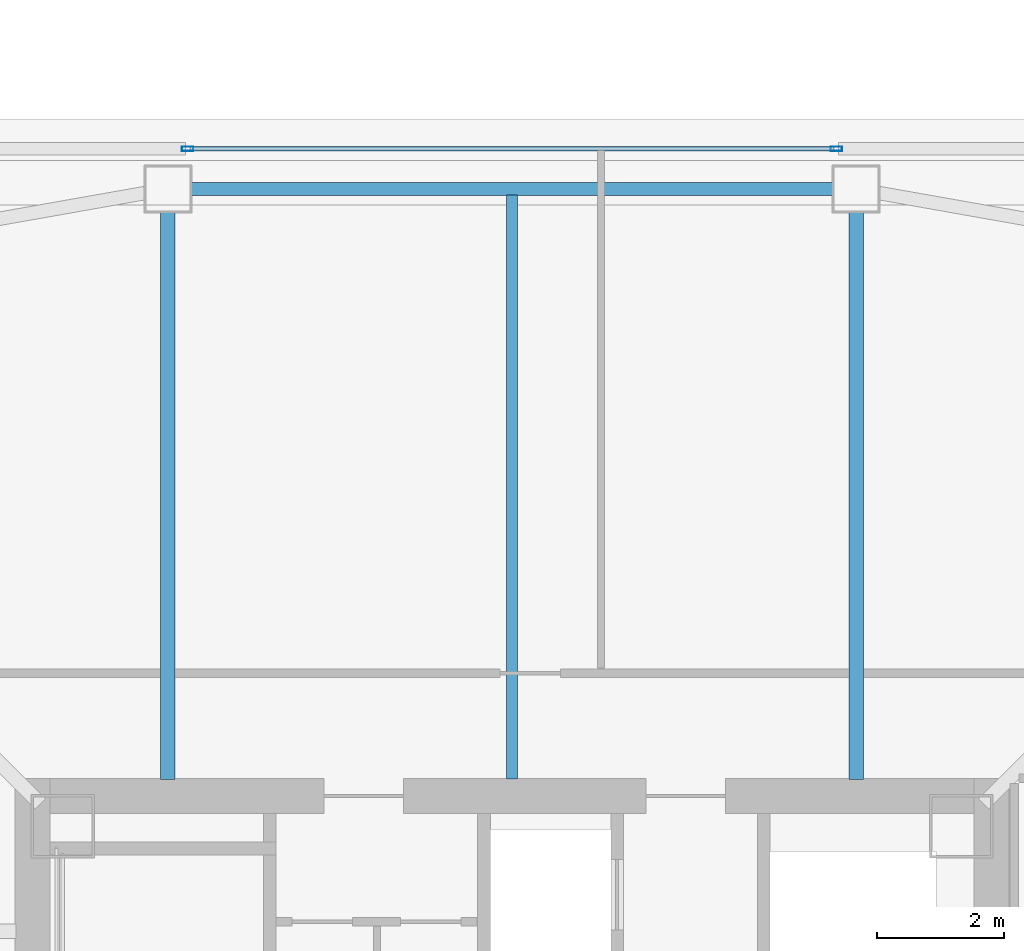
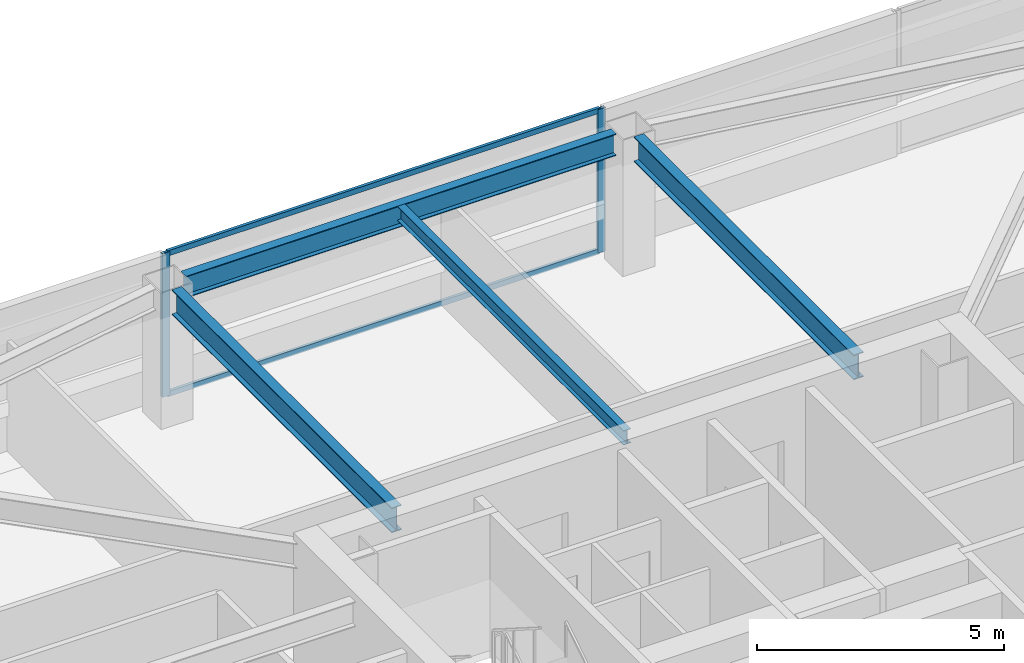
# One storey, part 12 of 41: 4 beams, 4 members, 1 element without a shape of its own.
"""IFC4 building model written with IfcOpenShell, lengths in metres."""

from ifc_helpers import new_model, si_unit, direction, frame, origin, origin_2d, place, context, subcontext, project, spatial, hollow_rectangle, i_section, extrude, material, material_profile, profile_set, type_object, element, aggregate, save


model = new_model("IFC4")

# Units and contexts
model_context = context("Model", 3, precision=1e-05, world=origin(), true_north=direction((0.0, 1.0)))
body_context = subcontext(model_context, "Body", "Model", "MODEL_VIEW")
ifc_project = project(units=[si_unit("LENGTHUNIT", "METRE"), si_unit("AREAUNIT", "SQUARE_METRE"), si_unit("VOLUMEUNIT", "CUBIC_METRE"), si_unit("PLANEANGLEUNIT", "RADIAN"), si_unit("MASSUNIT", "GRAM", prefix="KILO")], contexts=[model_context])

# Site, building, storey
site_placement = place(None, origin())
site = spatial("IfcSite", under=ifc_project, at=site_placement, CompositionType="ELEMENT")
building_placement = place(site_placement, origin())
building = spatial("IfcBuilding", under=site, at=building_placement, Name="Tashvorn Skyway Center", CompositionType="ELEMENT")
storey_placement = place(building_placement, frame((0.0, 0.0, 174.75)))
storey = spatial("IfcBuildingStorey", under=building, at=storey_placement, Name="L47", CompositionType="ELEMENT", Elevation=174.75)

# Beams
ifc_material_1 = material(Name="Steel ASTM A992 Grade 50", Category="steel")
ifc_material_profile_1 = material_profile(ifc_material_1, i_section(OverallWidth=0.22998046875, OverallDepth=0.616943359375, WebThickness=0.01318359375, FlangeThickness=0.022216796875, at=origin_2d()), Name="W24X94")
ifc_profile_set_1 = profile_set([ifc_material_profile_1], Name="Steel ASTM A992 Grade 50")
beam_type_1 = type_object("IfcBeamType", Name="BM-BEAM-W24X94", PredefinedType="BEAM", material=ifc_profile_set_1)
for number, where, z_axis, x_axis, name in (
    (1, (47.39990234375, 48.679931640625, 3.0615234375), (0.0, -1.0, 0.0), (1.0, 0.0, 0.0), "Tower 1 L47 Primary Floor Girder FC-N1"),
    (2, (36.60009765625, 48.679931640625, 3.0615234375), (0.0, -1.0, 0.0), (1.0, 0.0, 0.0), "Tower 1 L47 Primary Floor Girder FC-N2"),
):
    element("IfcBeam", number, at=place(storey_placement, frame(where, z_axis=z_axis, x_axis=x_axis)), inside=storey, type_object=beam_type_1, Name=name, PredefinedType="BEAM", context=body_context, shape_type="SweptSolid", body=[
        extrude(i_section(OverallWidth=0.22998046875, OverallDepth=0.616943359375, WebThickness=0.01318359375, FlangeThickness=0.022216796875, at=origin_2d()), origin(), (0.0, 0.0, 1.0), 8.89990234375),
    ])
ifc_material_profile_2 = material_profile(ifc_material_1, i_section(OverallWidth=0.1708984375, OverallDepth=0.35498046875, WebThickness=0.007080078125, FlangeThickness=0.01171875, at=origin_2d()), Name="W14X34")
ifc_profile_set_2 = profile_set([ifc_material_profile_2], Name="Steel ASTM A992 Grade 50")
beam_type_2 = type_object("IfcBeamType", Name="BM-JOIST-W14X34", PredefinedType="JOIST", material=ifc_profile_set_2)
beam_1_placement = place(storey_placement, frame((42.0, 39.7900390625, 3.1923828125), z_axis=(0.0, 1.0, 0.0), x_axis=(-1.0, 0.0, 0.0)))
element("IfcBeam", 3, at=beam_1_placement, inside=storey, type_object=beam_type_2, Name="Tower 1 L47 Secondary Composite Joist JN", PredefinedType="JOIST", context=body_context, shape_type="SweptSolid", body=[
    extrude(i_section(OverallWidth=0.1708984375, OverallDepth=0.35498046875, WebThickness=0.007080078125, FlangeThickness=0.01171875, at=origin_2d()), origin(), (0.0, 0.0, 1.0), 9.162353515625),
])
ifc_material_profile_3 = material_profile(ifc_material_1, i_section(OverallWidth=0.2109375, OverallDepth=0.5390625, WebThickness=0.01171875, FlangeThickness=0.018798828125, at=origin_2d()), Name="W21X73")
ifc_profile_set_3 = profile_set([ifc_material_profile_3], Name="Steel ASTM A992 Grade 50")
beam_type_3 = type_object("IfcBeamType", Name="BM-SPANDREL-W21X73", PredefinedType="SPANDREL", material=ifc_profile_set_3)
beam_2_placement = place(storey_placement, frame((47.030029296875, 49.050048828125, 3.1005859375), z_axis=(-1.0, 0.0, 0.0), x_axis=(0.0, -1.0, 0.0)))
element("IfcBeam", 4, at=beam_2_placement, inside=storey, type_object=beam_type_3, Name="Tower 1 L47 Spandrel Beam 08", PredefinedType="SPANDREL", context=body_context, shape_type="SweptSolid", body=[
    extrude(i_section(OverallWidth=0.2109375, OverallDepth=0.5390625, WebThickness=0.01171875, FlangeThickness=0.018798828125, at=origin_2d()), origin(), (0.0, 0.0, 1.0), 10.06005859375),
])

# Curtain wall, members
ifc_material_2 = material(Name="Thermally broken bronze-anodized aluminium 6063-T6", Category="aluminium")
curtain_wall_type = type_object("IfcCurtainWallType", Name="CW-CW-Z4", PredefinedType="NOTDEFINED", material=ifc_material_2)
curtain_wall_placement = place(storey_placement, origin())
curtain_wall = element("IfcCurtainWall", 5, at=curtain_wall_placement, inside=storey, type_object=curtain_wall_type, Name="Tower 1 L47 North Unitised Curtain Wall Glazing Group 2", PredefinedType="NOTDEFINED")
ifc_material_profile_4 = material_profile(ifc_material_2, hollow_rectangle(XDim=0.070068359375, YDim=0.179931640625, WallThickness=0.00390625, at=origin_2d()), Name="ALU-MULL-70x180")
ifc_profile_set_4 = profile_set([ifc_material_profile_4], Name="Thermally broken bronze-anodized aluminium 6063-T6")
member_type_1 = type_object("IfcMemberType", Name="CWM-CW-Z4", PredefinedType="MULLION", material=ifc_profile_set_4)
member_1_placement = place(storey_placement, frame((36.908203125, 49.679931640625, 0.0), z_axis=(0.0, 0.0, 1.0), x_axis=(0.0, 1.0, 0.0)))
member_1 = element("IfcMember", 6, at=member_1_placement, type_object=member_type_1, Name="CW-Z4 mullion 1", PredefinedType="MULLION", context=body_context, shape_type="SweptSolid", body=[
    extrude(hollow_rectangle(XDim=0.070068359375, YDim=0.179931640625, WallThickness=0.00390625, at=origin_2d()), origin(), (0.0, 0.0, 1.0), 3.550048828125),
])
member_2_placement = place(storey_placement, frame((47.091796875, 49.679931640625, 0.0), z_axis=(0.0, 0.0, 1.0), x_axis=(0.0, 1.0, 0.0)))
member_2 = element("IfcMember", 7, at=member_2_placement, type_object=member_type_1, Name="CW-Z4 mullion 2", PredefinedType="MULLION", context=body_context, shape_type="SweptSolid", body=[
    extrude(hollow_rectangle(XDim=0.070068359375, YDim=0.179931640625, WallThickness=0.00390625, at=origin_2d()), origin(), (0.0, 0.0, 1.0), 3.550048828125),
])
ifc_material_profile_5 = material_profile(ifc_material_2, hollow_rectangle(XDim=0.070068359375, YDim=0.1298828125, WallThickness=0.00390625, at=origin_2d()), Name="ALU-TRAN-70x130")
ifc_profile_set_5 = profile_set([ifc_material_profile_5], Name="Thermally broken bronze-anodized aluminium 6063-T6")
member_type_2 = type_object("IfcMemberType", Name="CWT-CW-Z4", PredefinedType="USERDEFINED", material=ifc_profile_set_5)
member_3_placement = place(storey_placement, frame((36.943359375, 49.679931640625, 0.034912109375), z_axis=(1.0, 0.0, 0.0), x_axis=(0.0, 1.0, 0.0)))
member_3 = element("IfcMember", 8, at=member_3_placement, type_object=member_type_2, Name="CW-Z4 transom 1.1", ObjectType="TRANSOM", PredefinedType="USERDEFINED", context=body_context, shape_type="SweptSolid", body=[
    extrude(hollow_rectangle(XDim=0.070068359375, YDim=0.1298828125, WallThickness=0.00390625, at=origin_2d()), origin(), (0.0, 0.0, 1.0), 10.11328125),
])
member_4_placement = place(storey_placement, frame((36.943359375, 49.679931640625, 3.514892578125), z_axis=(1.0, 0.0, 0.0), x_axis=(0.0, 1.0, 0.0)))
member_4 = element("IfcMember", 9, at=member_4_placement, type_object=member_type_2, Name="CW-Z4 transom 1.2", ObjectType="TRANSOM", PredefinedType="USERDEFINED", context=body_context, shape_type="SweptSolid", body=[
    extrude(hollow_rectangle(XDim=0.070068359375, YDim=0.1298828125, WallThickness=0.00390625, at=origin_2d()), origin(), (0.0, 0.0, 1.0), 10.11328125),
])
aggregate(curtain_wall, [member_1, member_2, member_3, member_4])

save(model, "model.ifc")
